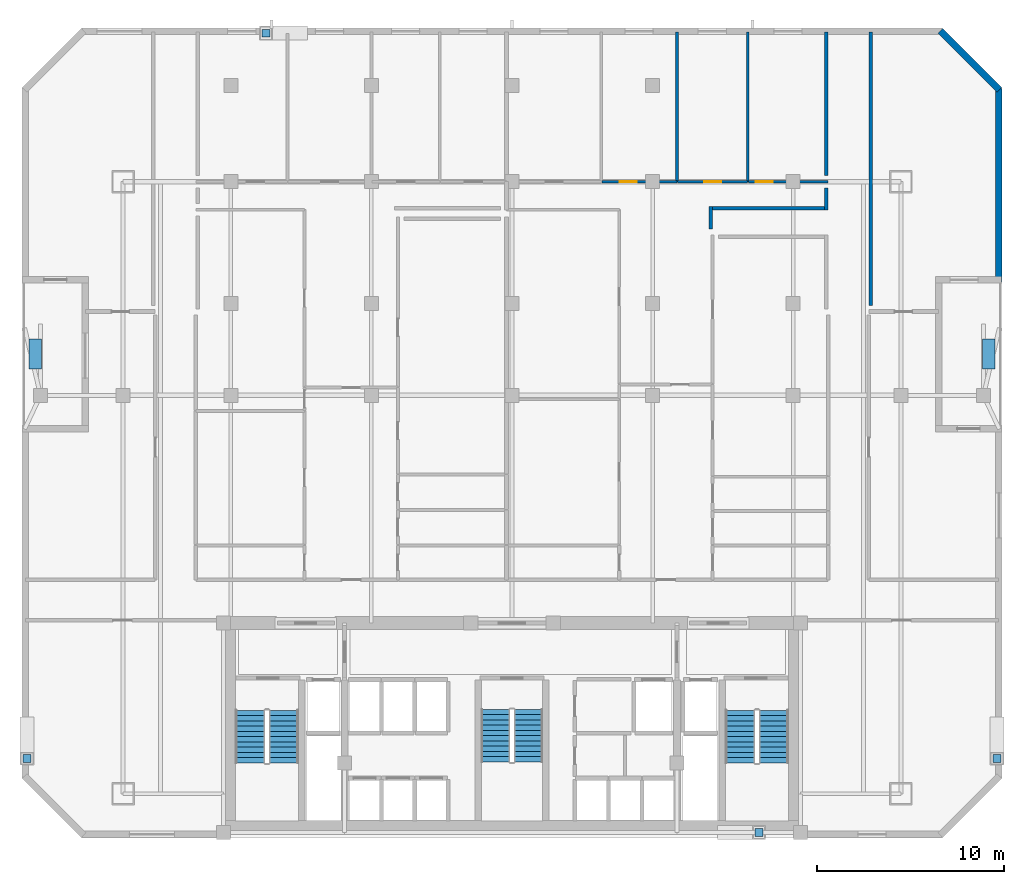
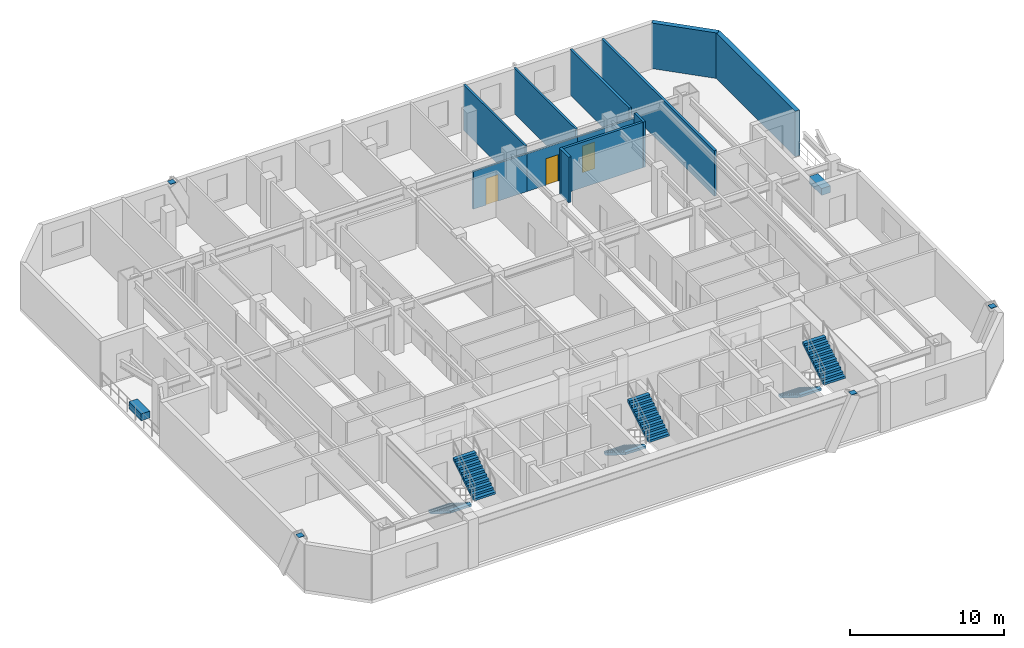
# One storey, part 7 of 9: 12 walls, 6 discrete accessories, 6 stair flights, 3 doors, 3 openings, 3 elements without a shape of their own.
"""IFC4 building model written with IfcOpenShell, lengths in metres."""

from ifc_helpers import new_model, si_unit, direction, frame, frame_2d, origin, origin_2d, place, context, subcontext, project, spatial, polyline, rectangle, outline, extrude, material, layer, layer_set, type_object, element, fill, aggregate, save


model = new_model("IFC4")

# Units and contexts
model_context = context("Model", 3, precision=1e-05, world=origin(), true_north=direction((0.0, 1.0)))
body_context = subcontext(model_context, "Body", "Model", "MODEL_VIEW")
ifc_project = project(units=[si_unit("LENGTHUNIT", "METRE"), si_unit("AREAUNIT", "SQUARE_METRE"), si_unit("VOLUMEUNIT", "CUBIC_METRE"), si_unit("PLANEANGLEUNIT", "RADIAN"), si_unit("MASSUNIT", "GRAM", prefix="KILO")], contexts=[model_context])

# Site, building, storey
site_placement = place(None, origin())
site = spatial("IfcSite", under=ifc_project, at=site_placement, CompositionType="ELEMENT")
building_placement = place(site_placement, origin())
building = spatial("IfcBuilding", under=site, at=building_placement, Name="Ventersveld Concourse Tower", CompositionType="ELEMENT")
storey_placement = place(building_placement, frame((0.0, 0.0, 115.699951171875)))
storey = spatial("IfcBuildingStorey", under=building, at=storey_placement, Name="L28", CompositionType="ELEMENT", Elevation=115.699951171875)

# Walls
ifc_material_1 = material(Name="Fire-rated autoclaved aerated masonry blockwork", Category="masonry")
ifc_layer_1 = layer(ifc_material_1, 0.179931640625)
ifc_layer_set_1 = layer_set([ifc_layer_1], Name="Fire-rated autoclaved aerated masonry blockwork")
wall_type_1 = type_object("IfcWallType", Name="WL-CORR-180", PredefinedType="PARTITIONING", material=ifc_layer_set_1)
wall_1_placement = place(storey_placement, frame((47.8798828125, 28.39501953125, 0.0), z_axis=(0.0, 0.0, 1.0), x_axis=(0.0, 1.0, 0.0)))
element("IfcWall", 1, at=wall_1_placement, inside=storey, type_object=wall_type_1, Name="L28 Room Enclosure Wall SP-L28-NELNG2", PredefinedType="PARTITIONING", context=body_context, shape_type="SweptSolid", body=[
    extrude(rectangle(XDim=14.594970703125, YDim=0.179931640625, at=frame_2d((7.29736328125, 0.0))), origin(), (0.0, 0.0, 1.0), 3.60009765625),
])
wall_2_placement = place(storey_placement, frame((45.52001953125, 34.675048828125, 0.0), z_axis=(0.0, 0.0, 1.0), x_axis=(0.0, -1.0, 0.0)))
element("IfcWall", 2, at=wall_2_placement, inside=storey, type_object=wall_type_1, Name="L28 Room Enclosure Wall SP-L28-28N2-LIV", PredefinedType="PARTITIONING", context=body_context, shape_type="SweptSolid", body=[
    extrude(rectangle(XDim=1.179931640625, YDim=0.179931640625, at=frame_2d((0.58984375, 0.0))), origin(), (0.0, 0.0, 1.0), 3.60009765625),
])
wall_3_placement = place(storey_placement, frame((45.614990234375, 33.590087890625, 0.0), z_axis=(0.0, 0.0, 1.0), x_axis=(-1.0, 0.0, 0.0)))
element("IfcWall", 3, at=wall_3_placement, inside=storey, type_object=wall_type_1, Name="L28 Room Enclosure Wall SP-L28-28N2-LIV", PredefinedType="PARTITIONING", context=body_context, shape_type="SweptSolid", body=[
    extrude(rectangle(XDim=6.34912109375, YDim=0.179931640625, at=frame_2d((3.174560546875, 0.0))), origin(), (0.0, 0.0, 1.0), 3.60009765625),
])
wall_4_placement = place(storey_placement, frame((39.36083984375, 33.68505859375, 0.0), z_axis=(0.0, 0.0, 1.0), x_axis=(0.0, -1.0, 0.0)))
element("IfcWall", 4, at=wall_4_placement, inside=storey, type_object=wall_type_1, Name="L28 Room Enclosure Wall SP-L28-28N2-LIV", PredefinedType="PARTITIONING", context=body_context, shape_type="SweptSolid", body=[
    extrude(rectangle(XDim=1.21435546875, YDim=0.179931640625, at=frame_2d((0.607177734375, 0.0))), origin(), (0.0, 0.0, 1.0), 3.60009765625),
])
wall_5_placement = place(storey_placement, frame((45.52001953125, 42.989990234375, 0.0), z_axis=(0.0, 0.0, 1.0), x_axis=(0.0, -1.0, 0.0)))
element("IfcWall", 5, at=wall_5_placement, inside=storey, type_object=wall_type_1, Name="L28 Room Enclosure Wall SP-L28-28N2-BR4", PredefinedType="PARTITIONING", context=body_context, shape_type="SweptSolid", body=[
    extrude(rectangle(XDim=7.6650390625, YDim=0.179931640625, at=frame_2d((3.83251953125, 0.0))), origin(), (0.0, 0.0, 1.0), 3.60009765625),
])

# Wall, opening, door
ifc_material_2 = material(Name="Autoclaved aerated masonry blockwork", Category="masonry")
ifc_layer_2 = layer(ifc_material_2, 0.14990234375)
ifc_layer_set_2 = layer_set([ifc_layer_2], Name="Autoclaved aerated masonry blockwork")
wall_type_2 = type_object("IfcWallType", Name="WL-INT-150", PredefinedType="PARTITIONING", material=ifc_layer_set_2)
wall_6_placement = place(storey_placement, frame((33.547607421875, 35.0, 0.0), z_axis=(0.0, 0.0, 1.0), x_axis=(1.0, 0.0, 0.0)))
wall_6 = element("IfcWall", 6, at=wall_6_placement, inside=storey, type_object=wall_type_2, Name="L28 Interior Partition SP-L28-28N2-LIV-SP-L28-28N2-BR2", PredefinedType="PARTITIONING", context=body_context, shape_type="SweptSolid", body=[
    extrude(rectangle(XDim=4.00244140625, YDim=0.14990234375, at=frame_2d((2.001220703125, 0.0))), origin(), (0.0, 0.0, 1.0), 2.98291015625),
])
opening_1_placement = place(wall_6_placement, frame((0.94091796875, 0.0, 0.0)))
opening_1 = element("IfcOpeningElement", 7, at=opening_1_placement, cuts=wall_6, Name="Opening ID1", PredefinedType="OPENING", context=body_context, shape_type="SweptSolid", body=[
    extrude(rectangle(XDim=0.919921875, YDim=2.10009765625, at=frame_2d((0.4599609375, 1.050048828125))), frame((0.0, 0.0849609375, 0.0), z_axis=(0.0, -1.0, 0.0), x_axis=(1.0, 0.0, 0.0)), (0.0, 0.0, 1.0), 0.169921875),
])
ifc_material_3 = material(Name="Solid-core hardwood veneer timber", Category="wood")
door_type = type_object("IfcDoorType", Name="DR-ROOM-092", OperationType="NOTDEFINED", PredefinedType="DOOR", material=ifc_material_3)
door_1_placement = place(opening_1_placement, origin())
door_1 = element("IfcDoor", 8, at=door_1_placement, inside=storey, type_object=door_type, Name="L28 Interior Door SP-L28-28N2-LIV to SP-L28-28N2-BR2 (D-L28-1416)", OperationType="SINGLE_SWING_RIGHT", OverallHeight=2.10009765625, OverallWidth=0.919921875, PredefinedType="DOOR", context=body_context, shape_type="SweptSolid", body=[
    extrude(rectangle(XDim=0.919921875, YDim=2.10009765625, at=frame_2d((0.4599609375, 1.050048828125))), frame((0.0, 0.02490234375, 0.0), z_axis=(0.0, -1.0, 0.0), x_axis=(1.0, 0.0, 0.0)), (0.0, 0.0, 1.0), 0.050048828125),
])
fill(opening_1, door_1)

wall_7_placement = place(storey_placement, frame((37.580078125, 35.0, 0.0), z_axis=(0.0, 0.0, 1.0), x_axis=(1.0, 0.0, 0.0)))
wall_7 = element("IfcWall", 9, at=wall_7_placement, inside=storey, type_object=wall_type_2, Name="L28 Interior Partition SP-L28-28N2-LIV-SP-L28-28N2-BR3", PredefinedType="PARTITIONING", context=body_context, shape_type="SweptSolid", body=[
    extrude(rectangle(XDim=3.74560546875, YDim=0.14990234375, at=frame_2d((1.872802734375, 0.0))), origin(), (0.0, 0.0, 1.0), 2.98291015625),
])
opening_2_placement = place(wall_7_placement, frame((1.412841796875, 0.0, 0.0)))
opening_2 = element("IfcOpeningElement", 10, at=opening_2_placement, cuts=wall_7, Name="Opening ID1", PredefinedType="OPENING", context=body_context, shape_type="SweptSolid", body=[
    extrude(rectangle(XDim=0.919921875, YDim=2.10009765625, at=frame_2d((0.4599609375, 1.050048828125))), frame((0.0, 0.0849609375, 0.0), z_axis=(0.0, -1.0, 0.0), x_axis=(1.0, 0.0, 0.0)), (0.0, 0.0, 1.0), 0.169921875),
])
door_2_placement = place(opening_2_placement, origin())
door_2 = element("IfcDoor", 11, at=door_2_placement, inside=storey, type_object=door_type, Name="L28 Interior Door SP-L28-28N2-LIV to SP-L28-28N2-BR3 (D-L28-1417)", OperationType="SINGLE_SWING_LEFT", OverallHeight=2.10009765625, OverallWidth=0.919921875, PredefinedType="DOOR", context=body_context, shape_type="SweptSolid", body=[
    extrude(rectangle(XDim=0.919921875, YDim=2.10009765625, at=frame_2d((0.4599609375, 1.050048828125))), frame((0.0, 0.02490234375, 0.0), z_axis=(0.0, -1.0, 0.0), x_axis=(1.0, 0.0, 0.0)), (0.0, 0.0, 1.0), 0.050048828125),
])
fill(opening_2, door_2)

wall_8_placement = place(storey_placement, frame((41.355712890625, 35.0, 0.0), z_axis=(0.0, 0.0, 1.0), x_axis=(1.0, 0.0, 0.0)))
wall_8 = element("IfcWall", 12, at=wall_8_placement, inside=storey, type_object=wall_type_2, Name="L28 Interior Partition SP-L28-28N2-LIV-SP-L28-28N2-BR4", PredefinedType="PARTITIONING", context=body_context, shape_type="SweptSolid", body=[
    extrude(rectangle(XDim=4.25927734375, YDim=0.14990234375, at=frame_2d((2.129638671875, 0.0))), origin(), (0.0, 0.0, 1.0), 2.98291015625),
])
opening_3_placement = place(wall_8_placement, frame((0.391845703125, 0.0, 0.0)))
opening_3 = element("IfcOpeningElement", 13, at=opening_3_placement, cuts=wall_8, Name="Opening ID1", PredefinedType="OPENING", context=body_context, shape_type="SweptSolid", body=[
    extrude(rectangle(XDim=0.919921875, YDim=2.10009765625, at=frame_2d((0.4599609375, 1.050048828125))), frame((0.0, 0.0849609375, 0.0), z_axis=(0.0, -1.0, 0.0), x_axis=(1.0, 0.0, 0.0)), (0.0, 0.0, 1.0), 0.169921875),
])
door_3_placement = place(opening_3_placement, origin())
door_3 = element("IfcDoor", 14, at=door_3_placement, inside=storey, type_object=door_type, Name="L28 Interior Door SP-L28-28N2-LIV to SP-L28-28N2-BR4 (D-L28-1418)", OperationType="SINGLE_SWING_RIGHT", OverallHeight=2.10009765625, OverallWidth=0.919921875, PredefinedType="DOOR", context=body_context, shape_type="SweptSolid", body=[
    extrude(rectangle(XDim=0.919921875, YDim=2.10009765625, at=frame_2d((0.4599609375, 1.050048828125))), frame((0.0, 0.02490234375, 0.0), z_axis=(0.0, -1.0, 0.0), x_axis=(1.0, 0.0, 0.0)), (0.0, 0.0, 1.0), 0.050048828125),
])
fill(opening_3, door_3)

# Walls
for number, where, z_axis, x_axis, name in (
    (15, (37.545166015625, 34.9951171875, 0.0), (0.0, 0.0, 1.0), (0.0, 1.0, 0.0), "L28 Interior Partition SP-L28-28N2-BR2-SP-L28-28N2-BR3"),
    (16, (41.32080078125, 34.9951171875, 0.0), (0.0, 0.0, 1.0), (0.0, 1.0, 0.0), "L28 Interior Partition SP-L28-28N2-BR3-SP-L28-28N2-BR4"),
):
    element("IfcWall", number, at=place(storey_placement, frame(where, z_axis=z_axis, x_axis=x_axis)), inside=storey, type_object=wall_type_2, Name=name, PredefinedType="PARTITIONING", context=body_context, shape_type="SweptSolid", body=[
        extrude(rectangle(XDim=7.994873046875, YDim=0.14990234375, at=frame_2d((3.99755859375, 0.0))), origin(), (0.0, 0.0, 1.0), 3.60009765625),
    ])
ifc_material_4 = material(Name="Precast concrete C45/55", Category="concrete")
ifc_layer_3 = layer(ifc_material_4, 0.35009765625)
ifc_layer_set_3 = layer_set([ifc_layer_3], Name="Precast concrete C45/55")
wall_type_3 = type_object("IfcWallType", Name="WL-PREC-350", PredefinedType="SOLIDWALL", material=ifc_layer_set_3)
wall_9_placement = place(storey_placement, frame((54.72509765625, 29.639892578125, 0.0), z_axis=(0.0, 0.0, 1.0), x_axis=(0.0, 1.0, 0.0)))
element("IfcWall", 17, at=wall_9_placement, inside=storey, type_object=wall_type_3, Name="L28 Highveld Precast Facade Wall E07", PredefinedType="SOLIDWALL", context=body_context, shape_type="SweptSolid", body=[
    extrude(rectangle(XDim=10.320068359375, YDim=0.35009765625, at=frame_2d((5.16015625, 0.0))), origin(), (0.0, 0.0, 1.0), 3.60009765625),
])
wall_10_placement = place(storey_placement, frame((54.748046875, 39.904541015625, 0.0), z_axis=(0.0, 0.0, 1.0), x_axis=(-0.707106781187, 0.707106781187, 0.0)))
element("IfcWall", 18, at=wall_10_placement, inside=storey, type_object=wall_type_3, Name="L28 Highveld Precast Facade Wall E08", PredefinedType="SOLIDWALL", context=body_context, shape_type="SweptSolid", body=[
    extrude(rectangle(XDim=4.445556640625, YDim=0.35009765625, at=frame_2d((2.22265625, 0.0))), origin(), (0.0, 0.0, 1.0), 3.60009765625),
])

# Stair, stair flights
ifc_material_5 = material(Name="Concrete C50/60", Category="concrete")
stair_type_1 = type_object("IfcStairType", Name="ST-DOG-155", PredefinedType="HALF_TURN_STAIR", material=ifc_material_5)
stair_1_placement = place(storey_placement, origin())
stair_1 = element("IfcStair", 19, at=stair_1_placement, inside=storey, type_object=stair_type_1, Name="L28 Protected Central Core Escape Stair ST-03", PredefinedType="HALF_TURN_STAIR")
stair_flight_type_1 = type_object("IfcStairFlightType", Name="STF-RC-155", PredefinedType="STRAIGHT", material=ifc_material_5)
stair_flight_1_placement = place(storey_placement, frame((27.875, 6.85009765625, 0.0), z_axis=(0.0, 0.0, 1.0), x_axis=(0.0, -1.0, 0.0)))
stair_flight_1 = element("IfcStairFlight", 20, at=stair_flight_1_placement, type_object=stair_flight_type_1, Name="ST-03 flight 1", NumberOfRisers=11, NumberOfTreads=10, PredefinedType="STRAIGHT", RiserHeight=0.175, TreadLength=0.28, context=body_context, shape_type="SweptSolid", body=[
    extrude(outline(polyline([(0.0, 0.0), (0.0, 0.175048828125), (0.280029296875, 0.175048828125), (0.280029296875, 0.35009765625), (0.56005859375, 0.35009765625), (0.56005859375, 0.52490234375), (0.840087890625, 0.52490234375), (0.840087890625, 0.699951171875), (1.1201171875, 0.699951171875), (1.1201171875, 0.875), (1.39990234375, 0.875), (1.39990234375, 1.050048828125), (1.679931640625, 1.050048828125), (1.679931640625, 1.22509765625), (1.9599609375, 1.22509765625), (1.9599609375, 1.39990234375), (2.239990234375, 1.39990234375), (2.239990234375, 1.574951171875), (2.52001953125, 1.574951171875), (2.52001953125, 1.75), (2.800048828125, 1.75), (2.800048828125, 1.925048828125), (2.800048828125, 1.5732421875), (0.28271484375, 0.0), (0.0, 0.0)])), frame((0.0, 0.77490234375, 0.0), z_axis=(0.0, -1.0, 0.0), x_axis=(1.0, 0.0, 0.0)), (0.0, 0.0, 1.0), 1.550048828125),
])
stair_flight_2_placement = place(storey_placement, frame((29.625, 4.050048828125, 1.925048828125), z_axis=(0.0, 0.0, 1.0), x_axis=(0.0, 1.0, 0.0)))
stair_flight_2 = element("IfcStairFlight", 21, at=stair_flight_2_placement, type_object=stair_flight_type_1, Name="ST-03 flight 2", NumberOfRisers=11, NumberOfTreads=10, PredefinedType="STRAIGHT", RiserHeight=0.175, TreadLength=0.28, context=body_context, shape_type="SweptSolid", body=[
    extrude(outline(polyline([(0.0, 0.0), (0.0, 0.175048828125), (0.280029296875, 0.175048828125), (0.280029296875, 0.35009765625), (0.56005859375, 0.35009765625), (0.56005859375, 0.52490234375), (0.840087890625, 0.52490234375), (0.840087890625, 0.699951171875), (1.1201171875, 0.699951171875), (1.1201171875, 0.875), (1.39990234375, 0.875), (1.39990234375, 1.050048828125), (1.679931640625, 1.050048828125), (1.679931640625, 1.22509765625), (1.9599609375, 1.22509765625), (1.9599609375, 1.39990234375), (2.239990234375, 1.39990234375), (2.239990234375, 1.574951171875), (2.52001953125, 1.574951171875), (2.52001953125, 1.75), (2.800048828125, 1.75), (2.800048828125, 1.925048828125), (2.800048828125, 1.5732421875), (0.28271484375, 0.0), (0.0, 0.0)])), frame((0.0, 0.77490234375, 0.0), z_axis=(0.0, -1.0, 0.0), x_axis=(1.0, 0.0, 0.0)), (0.0, 0.0, 1.0), 1.550048828125),
])
aggregate(stair_1, [stair_flight_1, stair_flight_2])

stair_type_2 = type_object("IfcStairType", Name="ST-DOG-160", PredefinedType="HALF_TURN_STAIR", material=ifc_material_5)
stair_2_placement = place(storey_placement, origin())
stair_2 = element("IfcStair", 22, at=stair_2_placement, inside=storey, type_object=stair_type_2, Name="L28 Protected Tower Escape Stair ST-01", PredefinedType="HALF_TURN_STAIR")
stair_flight_type_2 = type_object("IfcStairFlightType", Name="STF-RC-160", PredefinedType="STRAIGHT", material=ifc_material_5)
stair_flight_3_placement = place(storey_placement, frame((14.780029296875, 6.800048828125, 0.0), z_axis=(0.0, 0.0, 1.0), x_axis=(0.0, -1.0, 0.0)))
stair_flight_3 = element("IfcStairFlight", 23, at=stair_flight_3_placement, type_object=stair_flight_type_2, Name="ST-01 flight 1", NumberOfRisers=11, NumberOfTreads=10, PredefinedType="STRAIGHT", RiserHeight=0.175, TreadLength=0.28, context=body_context, shape_type="SweptSolid", body=[
    extrude(outline(polyline([(0.0, 0.0), (0.0, 0.175048828125), (0.280029296875, 0.175048828125), (0.280029296875, 0.35009765625), (0.56005859375, 0.35009765625), (0.56005859375, 0.52490234375), (0.840087890625, 0.52490234375), (0.840087890625, 0.699951171875), (1.1201171875, 0.699951171875), (1.1201171875, 0.875), (1.39990234375, 0.875), (1.39990234375, 1.050048828125), (1.679931640625, 1.050048828125), (1.679931640625, 1.22509765625), (1.9599609375, 1.22509765625), (1.9599609375, 1.39990234375), (2.239990234375, 1.39990234375), (2.239990234375, 1.574951171875), (2.52001953125, 1.574951171875), (2.52001953125, 1.75), (2.800048828125, 1.75), (2.800048828125, 1.925048828125), (2.800048828125, 1.5732421875), (0.28271484375, 0.0), (0.0, 0.0)])), frame((0.0, 0.800048828125, 0.0), z_axis=(0.0, -1.0, 0.0), x_axis=(1.0, 0.0, 0.0)), (0.0, 0.0, 1.0), 1.60009765625),
])
stair_flight_4_placement = place(storey_placement, frame((16.580078125, 4.0, 1.925048828125), z_axis=(0.0, 0.0, 1.0), x_axis=(0.0, 1.0, 0.0)))
stair_flight_4 = element("IfcStairFlight", 24, at=stair_flight_4_placement, type_object=stair_flight_type_2, Name="ST-01 flight 2", NumberOfRisers=11, NumberOfTreads=10, PredefinedType="STRAIGHT", RiserHeight=0.175, TreadLength=0.28, context=body_context, shape_type="SweptSolid", body=[
    extrude(outline(polyline([(0.0, 0.0), (0.0, 0.175048828125), (0.280029296875, 0.175048828125), (0.280029296875, 0.35009765625), (0.56005859375, 0.35009765625), (0.56005859375, 0.52490234375), (0.840087890625, 0.52490234375), (0.840087890625, 0.699951171875), (1.1201171875, 0.699951171875), (1.1201171875, 0.875), (1.39990234375, 0.875), (1.39990234375, 1.050048828125), (1.679931640625, 1.050048828125), (1.679931640625, 1.22509765625), (1.9599609375, 1.22509765625), (1.9599609375, 1.39990234375), (2.239990234375, 1.39990234375), (2.239990234375, 1.574951171875), (2.52001953125, 1.574951171875), (2.52001953125, 1.75), (2.800048828125, 1.75), (2.800048828125, 1.925048828125), (2.800048828125, 1.5732421875), (0.28271484375, 0.0), (0.0, 0.0)])), frame((0.0, 0.800048828125, 0.0), z_axis=(0.0, -1.0, 0.0), x_axis=(1.0, 0.0, 0.0)), (0.0, 0.0, 1.0), 1.60009765625),
])
aggregate(stair_2, [stair_flight_3, stair_flight_4])

stair_3_placement = place(storey_placement, origin())
stair_3 = element("IfcStair", 25, at=stair_3_placement, inside=storey, type_object=stair_type_2, Name="L28 Protected Tower Escape Stair ST-02", PredefinedType="HALF_TURN_STAIR")
stair_flight_5_placement = place(storey_placement, frame((40.919921875, 6.800048828125, 0.0), z_axis=(0.0, 0.0, 1.0), x_axis=(0.0, -1.0, 0.0)))
stair_flight_5 = element("IfcStairFlight", 26, at=stair_flight_5_placement, type_object=stair_flight_type_2, Name="ST-02 flight 1", NumberOfRisers=11, NumberOfTreads=10, PredefinedType="STRAIGHT", RiserHeight=0.175, TreadLength=0.28, context=body_context, shape_type="SweptSolid", body=[
    extrude(outline(polyline([(0.0, 0.0), (0.0, 0.175048828125), (0.280029296875, 0.175048828125), (0.280029296875, 0.35009765625), (0.56005859375, 0.35009765625), (0.56005859375, 0.52490234375), (0.840087890625, 0.52490234375), (0.840087890625, 0.699951171875), (1.1201171875, 0.699951171875), (1.1201171875, 0.875), (1.39990234375, 0.875), (1.39990234375, 1.050048828125), (1.679931640625, 1.050048828125), (1.679931640625, 1.22509765625), (1.9599609375, 1.22509765625), (1.9599609375, 1.39990234375), (2.239990234375, 1.39990234375), (2.239990234375, 1.574951171875), (2.52001953125, 1.574951171875), (2.52001953125, 1.75), (2.800048828125, 1.75), (2.800048828125, 1.925048828125), (2.800048828125, 1.5732421875), (0.28271484375, 0.0), (0.0, 0.0)])), frame((0.0, 0.800048828125, 0.0), z_axis=(0.0, -1.0, 0.0), x_axis=(1.0, 0.0, 0.0)), (0.0, 0.0, 1.0), 1.60009765625),
])
stair_flight_6_placement = place(storey_placement, frame((42.719970703125, 4.0, 1.925048828125), z_axis=(0.0, 0.0, 1.0), x_axis=(0.0, 1.0, 0.0)))
stair_flight_6 = element("IfcStairFlight", 27, at=stair_flight_6_placement, type_object=stair_flight_type_2, Name="ST-02 flight 2", NumberOfRisers=11, NumberOfTreads=10, PredefinedType="STRAIGHT", RiserHeight=0.175, TreadLength=0.28, context=body_context, shape_type="SweptSolid", body=[
    extrude(outline(polyline([(0.0, 0.0), (0.0, 0.175048828125), (0.280029296875, 0.175048828125), (0.280029296875, 0.35009765625), (0.56005859375, 0.35009765625), (0.56005859375, 0.52490234375), (0.840087890625, 0.52490234375), (0.840087890625, 0.699951171875), (1.1201171875, 0.699951171875), (1.1201171875, 0.875), (1.39990234375, 0.875), (1.39990234375, 1.050048828125), (1.679931640625, 1.050048828125), (1.679931640625, 1.22509765625), (1.9599609375, 1.22509765625), (1.9599609375, 1.39990234375), (2.239990234375, 1.39990234375), (2.239990234375, 1.574951171875), (2.52001953125, 1.574951171875), (2.52001953125, 1.75), (2.800048828125, 1.75), (2.800048828125, 1.925048828125), (2.800048828125, 1.5732421875), (0.28271484375, 0.0), (0.0, 0.0)])), frame((0.0, 0.800048828125, 0.0), z_axis=(0.0, -1.0, 0.0), x_axis=(1.0, 0.0, 0.0)), (0.0, 0.0, 1.0), 1.60009765625),
])
aggregate(stair_3, [stair_flight_5, stair_flight_6])

# Discrete accessories
ifc_material_6 = material(Name="Structural steel S355J2", Category="steel")
discrete_accessory_type_1 = type_object("IfcDiscreteAccessoryType", Name="CONN-BRACE-ECP1", PredefinedType="BRACKET", material=ifc_material_6)
for number, where, z_axis, x_axis, name in (
    (28, (15.625, 42.919921875, 3.580078125), (0.0, 0.0, 1.0), (1.0, 0.0, 0.0), "L28 Steel Brace End Connection Plate ECP1-0286"),
    (29, (41.925048828125, 0.280029296875, 3.580078125), (0.0, 0.0, 1.0), (1.0, 0.0, 0.0), "L28 Steel Brace End Connection Plate ECP1-0290"),
    (30, (2.8798828125, 4.22509765625, 3.580078125), (0.0, 0.0, 1.0), (1.0, 0.0, 0.0), "L28 Steel Brace End Connection Plate ECP1-0294"),
    (31, (54.6201171875, 4.22509765625, 3.580078125), (0.0, 0.0, 1.0), (1.0, 0.0, 0.0), "L28 Steel Brace End Connection Plate ECP1-0298"),
):
    element("IfcDiscreteAccessory", number, at=place(storey_placement, frame(where, z_axis=z_axis, x_axis=x_axis)), inside=storey, type_object=discrete_accessory_type_1, Name=name, PredefinedType="BRACKET", context=body_context, shape_type="SweptSolid", body=[
        extrude(rectangle(XDim=0.419921875, YDim=0.419921875, at=origin_2d()), origin(), (0.0, 0.0, 1.0), 0.0400390625),
    ])
discrete_accessory_type_2 = type_object("IfcDiscreteAccessoryType", Name="PLN-TERR-180", PredefinedType="USERDEFINED", material=ifc_material_4)
for number, where, z_axis, x_axis, name in (
    (32, (3.320068359375, 25.800048828125, 0.0), (0.0, 0.0, 1.0), (0.0, 1.0, 0.0), "L28 Planted Precast Terrace Planter Box NOTCH-W"),
    (33, (54.179931640625, 25.800048828125, 0.0), (0.0, 0.0, 1.0), (0.0, 1.0, 0.0), "L28 Planted Precast Terrace Planter Box NOTCH-E"),
):
    element("IfcDiscreteAccessory", number, at=place(storey_placement, frame(where, z_axis=z_axis, x_axis=x_axis)), inside=storey, type_object=discrete_accessory_type_2, Name=name, ObjectType="PLANTER", PredefinedType="USERDEFINED", context=body_context, shape_type="SweptSolid", body=[
        extrude(rectangle(XDim=1.60009765625, YDim=0.64990234375, at=origin_2d()), origin(), (0.0, 0.0, 1.0), 0.550048828125),
    ])

save(model, "model.ifc")
